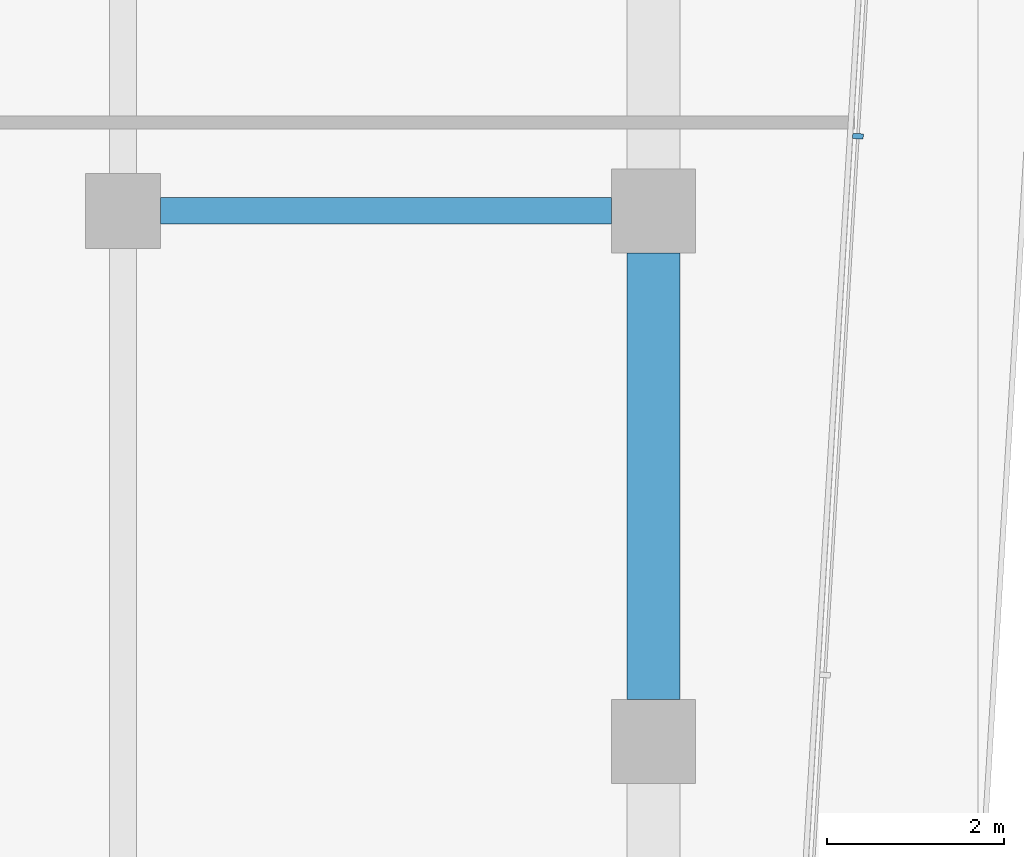
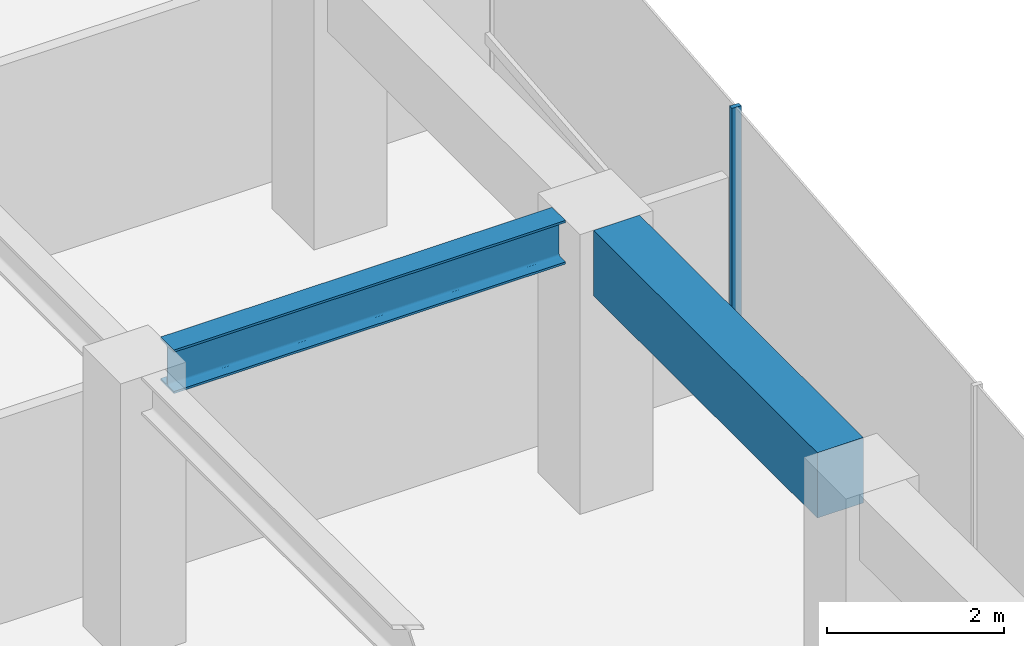
# One storey, part 15 of 27: 2 beams, 1 member, 1 element without a shape of its own.
"""IFC4 building model written with IfcOpenShell, lengths in metres."""

from ifc_helpers import new_model, si_unit, direction, frame, origin, origin_2d, place, context, subcontext, project, spatial, rectangle, i_section, extrude, material, layer, layer_set, material_profile, profile_set, type_object, element, aggregate, save


model = new_model("IFC4")

# Units and contexts
model_context = context("Model", 3, precision=1e-05, world=origin(), true_north=direction((0.0, 1.0)))
body_context = subcontext(model_context, "Body", "Model", "MODEL_VIEW")
ifc_project = project(units=[si_unit("LENGTHUNIT", "METRE"), si_unit("AREAUNIT", "SQUARE_METRE"), si_unit("VOLUMEUNIT", "CUBIC_METRE"), si_unit("PLANEANGLEUNIT", "RADIAN"), si_unit("MASSUNIT", "GRAM", prefix="KILO")], contexts=[model_context])

# Site, building, storey
site_placement = place(None, origin())
site = spatial("IfcSite", under=ifc_project, at=site_placement, CompositionType="ELEMENT")
building_placement = place(site_placement, origin())
building = spatial("IfcBuilding", under=site, at=building_placement, Name="Welwitschia Terrace Campus", CompositionType="ELEMENT")
storey_placement = place(building_placement, frame((0.0, 0.0, 37.39990234375)))
storey = spatial("IfcBuildingStorey", under=building, at=storey_placement, Name="L08", CompositionType="ELEMENT", Elevation=37.39990234375)

# Curtain wall, member
ifc_material_1 = material(Name="Bronze anodised aluminium", Category="aluminium")
ifc_layer = layer(ifc_material_1, 0.1201171875)
ifc_layer_set = layer_set([ifc_layer], Name="Bronze anodised aluminium")
curtain_wall_type = type_object("IfcCurtainWallType", Name="Curtain wall CW2 tower 6000", PredefinedType="NOTDEFINED", material=ifc_layer_set)
curtain_wall_placement = place(storey_placement, origin())
curtain_wall = element("IfcCurtainWall", 1, at=curtain_wall_placement, inside=storey, type_object=curtain_wall_type, Name="CW L08.11.0", PredefinedType="NOTDEFINED")
ifc_material_2 = material(Name="Bronze anodised aluminium", Category="aluminium")
ifc_material_profile_1 = material_profile(ifc_material_2, rectangle(XDim=0.1201171875, YDim=0.06005859375, at=origin_2d()))
ifc_profile_set_1 = profile_set([ifc_material_profile_1], Name="Bronze anodised aluminium")
member_type = type_object("IfcMemberType", Name="Mullion 60x120", PredefinedType="MULLION", material=ifc_profile_set_1)
member_placement = place(storey_placement, frame((26.311279296875, 44.844970703125, 0.0), z_axis=(0.0, 0.0, 1.0), x_axis=(-0.998134798422, 0.061048539535, 0.0)))
member = element("IfcMember", 2, at=member_placement, type_object=member_type, Name="Mullion L08.11.0.3", PredefinedType="MULLION", context=body_context, shape_type="SweptSolid", body=[
    extrude(rectangle(XDim=0.1201171875, YDim=0.06005859375, at=origin_2d()), origin(), (0.0, 0.0, 1.0), 3.85009765625),
])
aggregate(curtain_wall, [member])

# Beams
ifc_material_3 = material(Name="Steel S355", Category="steel")
ifc_material_profile_2 = material_profile(ifc_material_3, i_section(OverallWidth=0.300048828125, OverallDepth=0.60009765625, WebThickness=0.015380859375, FlangeThickness=0.030029296875, FilletRadius=0.027099609375, at=origin_2d()))
ifc_profile_set_2 = profile_set([ifc_material_profile_2], Name="Steel S355")
beam_type_1 = type_object("IfcBeamType", Name="Primary beam HE 600 B", PredefinedType="BEAM", material=ifc_profile_set_2)
beam_1_placement = place(storey_placement, frame((23.5244140625, 44.0, 3.550048828125), z_axis=(-1.0, 0.0, 0.0), x_axis=(0.0, -1.0, 0.0)))
element("IfcBeam", 3, at=beam_1_placement, inside=storey, type_object=beam_type_1, Name="Primary beam PB2", PredefinedType="BEAM", context=body_context, shape_type="SweptSolid", body=[
    extrude(i_section(OverallWidth=0.300048828125, OverallDepth=0.60009765625, WebThickness=0.015380859375, FlangeThickness=0.030029296875, FilletRadius=0.027099609375, at=origin_2d()), origin(), (0.0, 0.0, 1.0), 5.098876953125),
])
ifc_material_4 = material(Name="Concrete C60/75", Category="concrete")
ifc_material_profile_3 = material_profile(ifc_material_4, rectangle(XDim=0.60009765625, YDim=0.89990234375, at=origin_2d()))
ifc_profile_set_3 = profile_set([ifc_material_profile_3], Name="Concrete C60/75")
beam_type_2 = type_object("IfcBeamType", Name="Ring spandrel 600x900", PredefinedType="SPANDREL", material=ifc_profile_set_3)
beam_2_placement = place(storey_placement, frame((24.0, 38.4755859375, 3.400146484375), z_axis=(0.0, 1.0, 0.0), x_axis=(-1.0, 0.0, 0.0)))
element("IfcBeam", 4, at=beam_2_placement, inside=storey, type_object=beam_type_2, Name="Spandrel SP2", PredefinedType="SPANDREL", context=body_context, shape_type="SweptSolid", body=[
    extrude(rectangle(XDim=0.60009765625, YDim=0.89990234375, at=origin_2d()), origin(), (0.0, 0.0, 1.0), 5.048828125),
])

save(model, "model.ifc")
